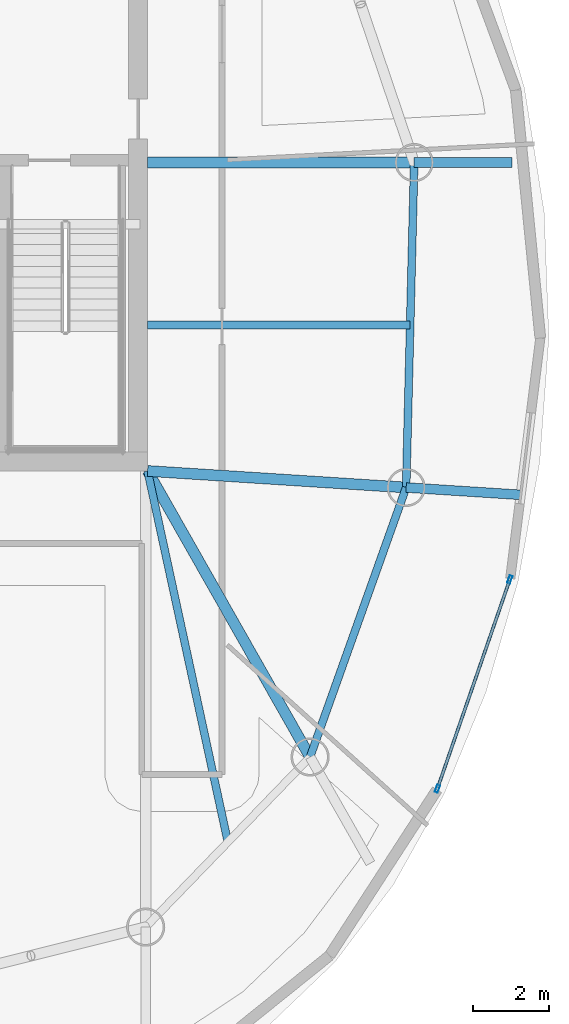
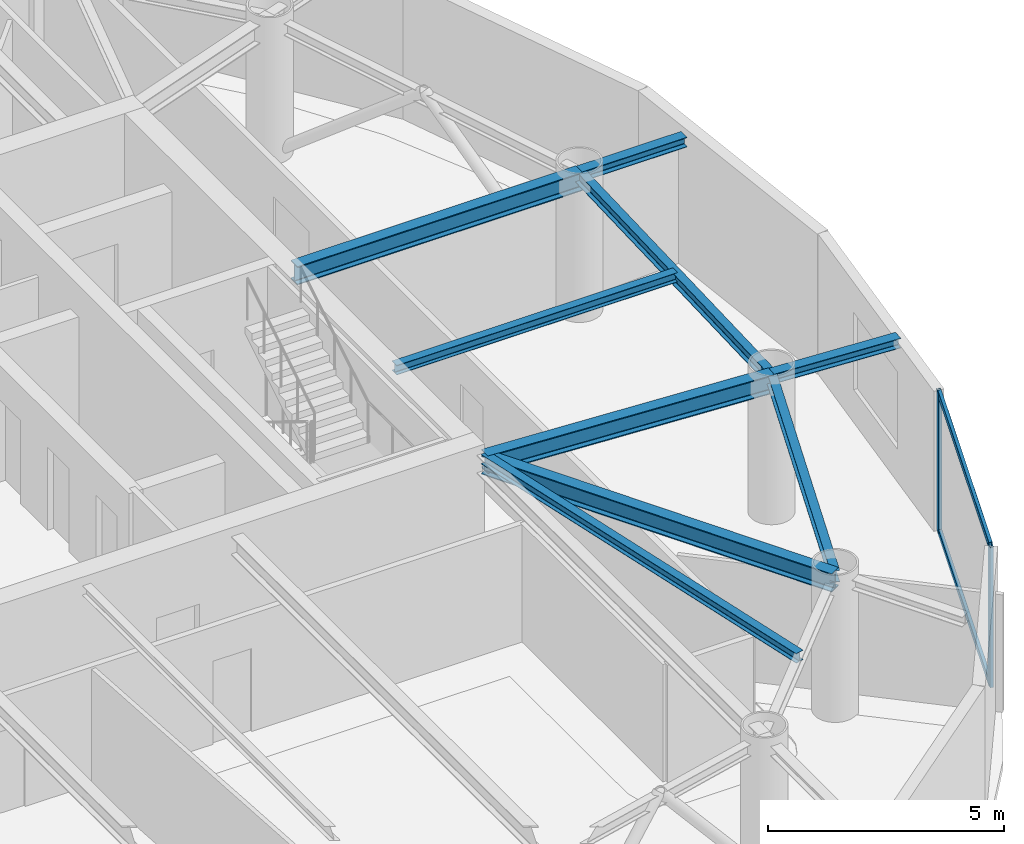
# One storey, part 6 of 17: 9 beams, 4 members, 1 element without a shape of its own.
"""IFC4 building model written with IfcOpenShell, lengths in metres."""

from ifc_helpers import new_model, si_unit, direction, frame, origin, origin_2d, place, context, subcontext, project, spatial, hollow_rectangle, i_section, extrude, material, layer, layer_set, material_profile, profile_set, type_object, element, aggregate, save


model = new_model("IFC4")

# Units and contexts
model_context = context("Model", 3, precision=1e-05, world=origin(), true_north=direction((0.0, 1.0)))
body_context = subcontext(model_context, "Body", "Model", "MODEL_VIEW")
ifc_project = project(units=[si_unit("LENGTHUNIT", "METRE"), si_unit("AREAUNIT", "SQUARE_METRE"), si_unit("VOLUMEUNIT", "CUBIC_METRE"), si_unit("PLANEANGLEUNIT", "RADIAN"), si_unit("MASSUNIT", "GRAM", prefix="KILO")], contexts=[model_context])

# Site, building, storey
site_placement = place(None, origin())
site = spatial("IfcSite", under=ifc_project, at=site_placement, CompositionType="ELEMENT")
building_placement = place(site_placement, origin())
building = spatial("IfcBuilding", under=site, at=building_placement, Name="Bramvorn Convention Spire", CompositionType="ELEMENT")
storey_placement = place(building_placement, frame((0.0, 0.0, 280.550048828125)))
storey = spatial("IfcBuildingStorey", under=building, at=storey_placement, Name="L71", CompositionType="ELEMENT", Elevation=280.550048828125)

# Beams
ifc_material_1 = material(Name="Steel CSA G40.21 Grade 350 (350W)", Category="steel")
ifc_material_profile_1 = material_profile(ifc_material_1, i_section(OverallWidth=0.201904296875, OverallDepth=0.2470703125, WebThickness=0.00732421875, FlangeThickness=0.010986328125, FilletRadius=0.011962890625, at=origin_2d()))
ifc_profile_set_1 = profile_set([ifc_material_profile_1], Name="Steel CSA G40.21 Grade 350 (350W) - W250X49")
beam_type_1 = type_object("IfcBeamType", Name="BM-W250X49", PredefinedType="JOIST", material=ifc_profile_set_1)
beam_1_placement = place(storey_placement, frame((49.25, 18.550048828125, 3.50146484375), z_axis=(0.211461445939, -0.977386339623, 0.0), x_axis=(0.977386339623, 0.211461445939, 0.0)))
element("IfcBeam", 1, at=beam_1_placement, inside=storey, type_object=beam_type_1, Name="L71 composite floor joist 01", PredefinedType="JOIST", context=body_context, shape_type="SweptSolid", body=[
    extrude(i_section(OverallWidth=0.201904296875, OverallDepth=0.2470703125, WebThickness=0.00732421875, FlangeThickness=0.010986328125, FilletRadius=0.011962890625, at=origin_2d()), origin(), (0.0, 0.0, 1.0), 9.9462890625),
])
beam_2_placement = place(storey_placement, frame((49.25, 22.373046875, 3.50146484375), z_axis=(1.0, 0.0, 0.0), x_axis=(0.0, 1.0, 0.0)))
element("IfcBeam", 2, at=beam_2_placement, inside=storey, type_object=beam_type_1, Name="L71 composite floor joist 03", PredefinedType="JOIST", context=body_context, shape_type="SweptSolid", body=[
    extrude(i_section(OverallWidth=0.201904296875, OverallDepth=0.2470703125, WebThickness=0.00732421875, FlangeThickness=0.010986328125, FilletRadius=0.011962890625, at=origin_2d()), origin(), (0.0, 0.0, 1.0), 6.879150390625),
])
ifc_material_profile_2 = material_profile(ifc_material_1, i_section(OverallWidth=0.25390625, OverallDepth=0.2529296875, WebThickness=0.008544921875, FlangeThickness=0.01416015625, FilletRadius=0.011962890625, at=origin_2d()))
ifc_profile_set_2 = profile_set([ifc_material_profile_2], Name="Steel CSA G40.21 Grade 350 (350W) - W250X73")
beam_type_2 = type_object("IfcBeamType", Name="BM-W250X73", PredefinedType="BEAM", material=ifc_profile_set_2)
beam_3_placement = place(storey_placement, frame((56.023681640625, 18.116455078125, 3.49853515625), z_axis=(0.99796125769, -0.063822630396, 0.0), x_axis=(0.063822630396, 0.99796125769, 0.0)))
element("IfcBeam", 3, at=beam_3_placement, inside=storey, type_object=beam_type_2, Name="L71 slab-edge cantilever tip beam MC03", PredefinedType="BEAM", context=body_context, shape_type="SweptSolid", body=[
    extrude(i_section(OverallWidth=0.25390625, OverallDepth=0.2529296875, WebThickness=0.008544921875, FlangeThickness=0.01416015625, FilletRadius=0.011962890625, at=origin_2d()), origin(), (0.0, 0.0, 1.0), 2.9990234375),
])
beam_4_placement = place(storey_placement, frame((56.234619140625, 26.62939453125, 3.49853515625), z_axis=(1.0, 0.0, 0.0), x_axis=(0.0, 1.0, 0.0)))
element("IfcBeam", 4, at=beam_4_placement, inside=storey, type_object=beam_type_2, Name="L71 slab-edge cantilever tip beam MC04", PredefinedType="BEAM", context=body_context, shape_type="SweptSolid", body=[
    extrude(i_section(OverallWidth=0.25390625, OverallDepth=0.2529296875, WebThickness=0.008544921875, FlangeThickness=0.01416015625, FilletRadius=0.011962890625, at=origin_2d()), origin(), (0.0, 0.0, 1.0), 2.566162109375),
])
ifc_material_profile_3 = material_profile(ifc_material_1, i_section(OverallWidth=0.202880859375, OverallDepth=0.302978515625, WebThickness=0.007568359375, FlangeThickness=0.01318359375, FilletRadius=0.013916015625, at=origin_2d()))
ifc_profile_set_3 = profile_set([ifc_material_profile_3], Name="Steel CSA G40.21 Grade 350 (350W) - W310X60")
beam_type_3 = type_object("IfcBeamType", Name="BM-W310X60", PredefinedType="JOIST", material=ifc_profile_set_3)
beam_5_placement = place(storey_placement, frame((53.50634765625, 11.05615234375, 3.473388671875), z_axis=(0.335839090413, 0.941919373063, 0.0), x_axis=(-0.941919373063, 0.335839090413, 0.0)))
element("IfcBeam", 5, at=beam_5_placement, inside=storey, type_object=beam_type_3, Name="L71 mega-column ring beam 02", PredefinedType="JOIST", context=body_context, shape_type="SweptSolid", body=[
    extrude(i_section(OverallWidth=0.202880859375, OverallDepth=0.302978515625, WebThickness=0.007568359375, FlangeThickness=0.01318359375, FilletRadius=0.013916015625, at=origin_2d()), origin(), (0.0, 0.0, 1.0), 7.49560546875),
])
beam_6_placement = place(storey_placement, frame((56.023681640625, 18.116455078125, 3.473388671875), z_axis=(0.024770853371, 0.999693155335, 0.0), x_axis=(-0.999693155335, 0.024770853371, 0.0)))
element("IfcBeam", 6, at=beam_6_placement, inside=storey, type_object=beam_type_3, Name="L71 mega-column ring beam 03", PredefinedType="JOIST", context=body_context, shape_type="SweptSolid", body=[
    extrude(i_section(OverallWidth=0.202880859375, OverallDepth=0.302978515625, WebThickness=0.007568359375, FlangeThickness=0.01318359375, FilletRadius=0.013916015625, at=origin_2d()), origin(), (0.0, 0.0, 1.0), 8.515625),
])
ifc_material_profile_4 = material_profile(ifc_material_1, i_section(OverallWidth=0.283935546875, OverallDepth=0.47607421875, WebThickness=0.014892578125, FlangeThickness=0.02392578125, FilletRadius=0.01806640625, at=origin_2d()))
ifc_profile_set_4 = profile_set([ifc_material_profile_4], Name="Steel CSA G40.21 Grade 350 (350W) - W460X158")
beam_type_4 = type_object("IfcBeamType", Name="BM-W460X158", PredefinedType="SPANDREL", material=ifc_profile_set_4)
beam_7_placement = place(storey_placement, frame((49.25, 18.550048828125, 3.386962890625), z_axis=(0.493873612118, -0.869533699895, 0.0), x_axis=(0.869533699895, 0.493873612118, 0.0)))
element("IfcBeam", 7, at=beam_7_placement, inside=storey, type_object=beam_type_4, Name="L71 radial floor girder MC02", PredefinedType="SPANDREL", context=body_context, shape_type="SweptSolid", body=[
    extrude(i_section(OverallWidth=0.283935546875, OverallDepth=0.47607421875, WebThickness=0.014892578125, FlangeThickness=0.02392578125, FilletRadius=0.01806640625, at=origin_2d()), origin(), (0.0, 0.0, 1.0), 8.618408203125),
])
beam_8_placement = place(storey_placement, frame((49.25, 18.550048828125, 3.386962890625), z_axis=(0.997957536354, -0.063880792379, 0.0), x_axis=(0.063880792379, 0.997957536354, 0.0)))
element("IfcBeam", 8, at=beam_8_placement, inside=storey, type_object=beam_type_4, Name="L71 radial floor girder MC03", PredefinedType="SPANDREL", context=body_context, shape_type="SweptSolid", body=[
    extrude(i_section(OverallWidth=0.283935546875, OverallDepth=0.47607421875, WebThickness=0.014892578125, FlangeThickness=0.02392578125, FilletRadius=0.01806640625, at=origin_2d()), origin(), (0.0, 0.0, 1.0), 6.78759765625),
])
beam_9_placement = place(storey_placement, frame((49.25, 26.62939453125, 3.386962890625), z_axis=(1.0, 0.0, 0.0), x_axis=(0.0, 1.0, 0.0)))
element("IfcBeam", 9, at=beam_9_placement, inside=storey, type_object=beam_type_4, Name="L71 radial floor girder MC04", PredefinedType="SPANDREL", context=body_context, shape_type="SweptSolid", body=[
    extrude(i_section(OverallWidth=0.283935546875, OverallDepth=0.47607421875, WebThickness=0.014892578125, FlangeThickness=0.02392578125, FilletRadius=0.01806640625, at=origin_2d()), origin(), (0.0, 0.0, 1.0), 6.984619140625),
])

# Curtain wall, members
ifc_material_2 = material(Name="Anodised Bronze Unitised Curtain Wall", Category="aluminium")
ifc_layer = layer(ifc_material_2, 0.179931640625)
ifc_layer_set = layer_set([ifc_layer], Name="Anodised Bronze Unitised Curtain Wall - CW-OFF-FRIT")
curtain_wall_type = type_object("IfcCurtainWallType", Name="CW-OFF-FRIT", PredefinedType="USERDEFINED", material=ifc_layer_set)
curtain_wall_placement = place(storey_placement, origin())
curtain_wall = element("IfcCurtainWall", 10, at=curtain_wall_placement, inside=storey, type_object=curtain_wall_type, Name="L71 fritted glass curtain wall 03", ObjectType="UNITISED CURTAIN WALL", PredefinedType="USERDEFINED")
ifc_material_3 = material(Name="Anodised Bronze Aluminium 6063-T6", Category="aluminium")
ifc_material_profile_5 = material_profile(ifc_material_3, hollow_rectangle(XDim=0.080078125, YDim=0.199951171875, WallThickness=0.00390625, InnerFilletRadius=0.0009765625, OuterFilletRadius=0.00390625, at=origin_2d()))
ifc_profile_set_5 = profile_set([ifc_material_profile_5], Name="Anodised Bronze Aluminium 6063-T6 - CWM80X200")
member_type_1 = type_object("IfcMemberType", Name="CW-MUL-180", PredefinedType="MULLION", material=ifc_profile_set_5)
member_1_placement = place(storey_placement, frame((58.740966796875, 15.707275390625, 0.0), z_axis=(0.0, 0.0, 1.0), x_axis=(0.944913417565, -0.327320383274, 0.0)))
member_1 = element("IfcMember", 11, at=member_1_placement, type_object=member_type_1, Name="CW3 mullion 1", PredefinedType="MULLION", context=body_context, shape_type="SweptSolid", body=[
    extrude(hollow_rectangle(XDim=0.080078125, YDim=0.199951171875, WallThickness=0.00390625, InnerFilletRadius=0.0009765625, OuterFilletRadius=0.00390625, at=origin_2d()), origin(), (0.0, 0.0, 1.0), 3.625),
])
member_2_placement = place(storey_placement, frame((56.842529296875, 10.226806640625, 0.0), z_axis=(0.0, 0.0, 1.0), x_axis=(0.944913417565, -0.327320383274, 0.0)))
member_2 = element("IfcMember", 12, at=member_2_placement, type_object=member_type_1, Name="CW3 mullion 2", PredefinedType="MULLION", context=body_context, shape_type="SweptSolid", body=[
    extrude(hollow_rectangle(XDim=0.080078125, YDim=0.199951171875, WallThickness=0.00390625, InnerFilletRadius=0.0009765625, OuterFilletRadius=0.00390625, at=origin_2d()), origin(), (0.0, 0.0, 1.0), 3.625),
])
ifc_material_profile_6 = material_profile(ifc_material_3, hollow_rectangle(XDim=0.080078125, YDim=0.159912109375, WallThickness=0.00390625, InnerFilletRadius=0.0009765625, OuterFilletRadius=0.00390625, at=origin_2d()))
ifc_profile_set_6 = profile_set([ifc_material_profile_6], Name="Anodised Bronze Aluminium 6063-T6 - CWT80X160")
member_type_2 = type_object("IfcMemberType", Name="CW-TRN-150", PredefinedType="USERDEFINED", material=ifc_profile_set_6)
member_3_placement = place(storey_placement, frame((58.731201171875, 15.678955078125, 0.030029296875), z_axis=(-0.327332602032, -0.944909184868, 0.0), x_axis=(0.944909184868, -0.327332602032, 0.0)))
member_3 = element("IfcMember", 13, at=member_3_placement, type_object=member_type_2, Name="CW3 transom 1.1", ObjectType="TRANSOM", PredefinedType="USERDEFINED", context=body_context, shape_type="SweptSolid", body=[
    extrude(hollow_rectangle(XDim=0.080078125, YDim=0.159912109375, WallThickness=0.00390625, InnerFilletRadius=0.0009765625, OuterFilletRadius=0.00390625, at=origin_2d()), origin(), (0.0, 0.0, 1.0), 5.739990234375),
])
member_4_placement = place(storey_placement, frame((58.731201171875, 15.678955078125, 3.594970703125), z_axis=(-0.327332602032, -0.944909184868, 0.0), x_axis=(0.944909184868, -0.327332602032, 0.0)))
member_4 = element("IfcMember", 14, at=member_4_placement, type_object=member_type_2, Name="CW3 transom 1.2", ObjectType="TRANSOM", PredefinedType="USERDEFINED", context=body_context, shape_type="SweptSolid", body=[
    extrude(hollow_rectangle(XDim=0.080078125, YDim=0.159912109375, WallThickness=0.00390625, InnerFilletRadius=0.0009765625, OuterFilletRadius=0.00390625, at=origin_2d()), origin(), (0.0, 0.0, 1.0), 5.739990234375),
])
aggregate(curtain_wall, [member_1, member_2, member_3, member_4])

save(model, "model.ifc")
